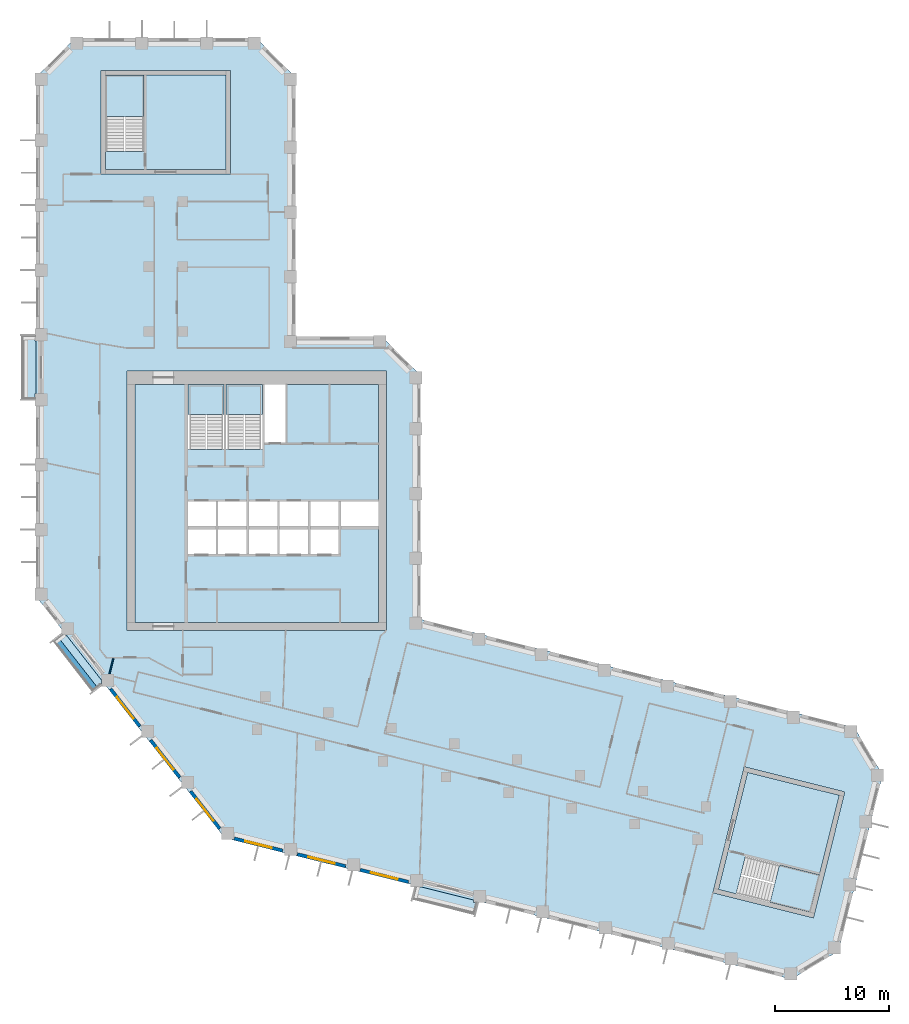
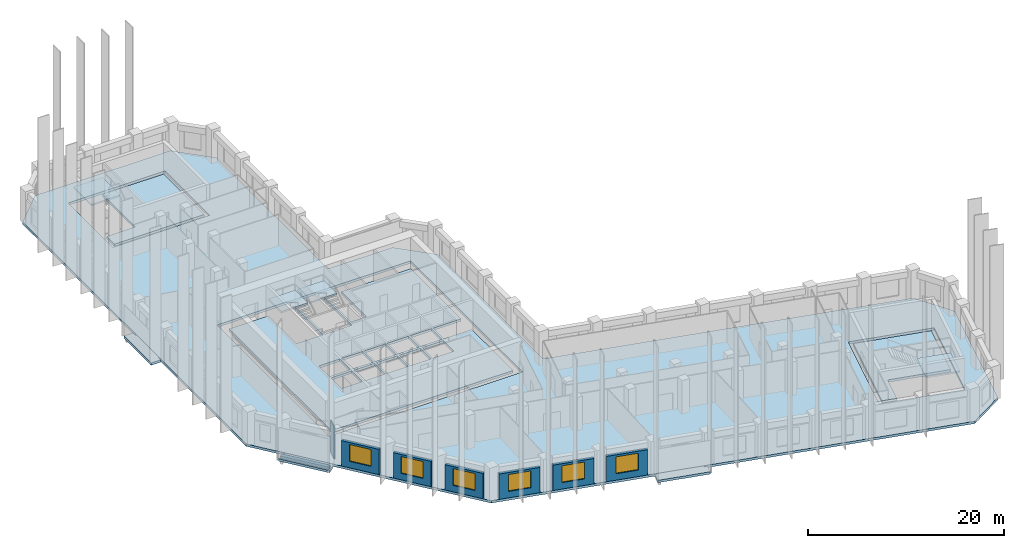
# One storey, part 2 of 10: 11 slabs, 8 walls, 6 windows, 6 openings, 4 elements without a shape of their own.
"""IFC4 building model written with IfcOpenShell, lengths in metres."""

from ifc_helpers import new_model, si_unit, direction, frame, frame_2d, origin, place, context, subcontext, project, spatial, polyline, rectangle, outline, extrude, material, layer, layer_set, type_object, element, fill, aggregate, save


model = new_model("IFC4")

# Units and contexts
model_context = context("Model", 3, precision=1e-05, world=origin(), true_north=direction((0.0, 1.0)))
body_context = subcontext(model_context, "Body", "Model", "MODEL_VIEW")
ifc_project = project(units=[si_unit("LENGTHUNIT", "METRE"), si_unit("AREAUNIT", "SQUARE_METRE"), si_unit("VOLUMEUNIT", "CUBIC_METRE"), si_unit("PLANEANGLEUNIT", "RADIAN"), si_unit("MASSUNIT", "GRAM", prefix="KILO")], contexts=[model_context])

# Site, building, storey
site_placement = place(None, origin())
site = spatial("IfcSite", under=ifc_project, at=site_placement, CompositionType="ELEMENT")
building_placement = place(site_placement, origin())
building = spatial("IfcBuilding", under=site, at=building_placement, Name="Meshkara Civic Tower", CompositionType="ELEMENT")
storey_placement = place(building_placement, frame((0.0, 0.0, 259.199951171875)))
storey = spatial("IfcBuildingStorey", under=building, at=storey_placement, Name="L59", CompositionType="ELEMENT", Elevation=259.199951171875)

# Slabs
ifc_material_1 = material(Name="Concrete C40", Category="concrete")
ifc_layer_1 = layer(ifc_material_1, 0.300048828125)
ifc_layer_set_1 = layer_set([ifc_layer_1], Name="BALCONY SLAB")
slab_type_1 = type_object("IfcSlabType", Name="BALCONY SLAB", PredefinedType="FLOOR", material=ifc_layer_set_1)
slab_1_placement = place(storey_placement, frame((0.0, 0.0, -0.300048828125)))
element("IfcSlab", 1, at=slab_1_placement, inside=storey, type_object=slab_type_1, Name="Balcony slab", PredefinedType="FLOOR", context=body_context, shape_type="SweptSolid", body=[
    extrude(outline(polyline([(-1.199951171875, 34.4150390625), (-1.199951171875, 39.9951171875), (-0.10009765625, 39.9951171875), (-0.10009765625, 39.5048828125), (0.0, 39.5048828125), (0.0, 34.905029296875), (-0.10009765625, 34.905029296875), (-0.10009765625, 34.4150390625), (-1.199951171875, 34.4150390625)])), origin(), (0.0, 0.0, 1.0), 0.300048828125),
])
slab_2_placement = place(storey_placement, frame((0.0, 0.0, -0.300048828125)))
element("IfcSlab", 2, at=slab_2_placement, inside=storey, type_object=slab_type_1, Name="Balcony slab", PredefinedType="FLOOR", context=body_context, shape_type="SweptSolid", body=[
    extrude(outline(polyline([(4.986083984375, 8.76904296875), (1.551025390625, 13.166015625), (2.263916015625, 13.722900390625), (2.263916015625, 13.678955078125), (2.673095703125, 13.678955078125), (5.77294921875, 9.7109375), (5.77294921875, 9.383056640625), (4.986083984375, 8.76904296875)])), origin(), (0.0, 0.0, 1.0), 0.300048828125),
])
slab_3_placement = place(storey_placement, frame((0.0, 0.0, -0.300048828125)))
element("IfcSlab", 3, at=slab_3_placement, inside=storey, type_object=slab_type_1, Name="Balcony slab", PredefinedType="FLOOR", context=body_context, shape_type="SweptSolid", body=[
    extrude(outline(polyline([(38.51708984375, -10.840087890625), (33.10205078125, -9.489990234375), (33.367919921875, -8.425048828125), (33.791015625, -8.425048828125), (38.424072265625, -9.580078125), (38.424072265625, -9.802978515625), (38.77490234375, -9.802978515625), (38.51708984375, -10.840087890625)])), origin(), (0.0, 0.0, 1.0), 0.300048828125),
])
ifc_material_2 = material(Name="Concrete C40/50", Category="concrete")
ifc_layer_2 = layer(ifc_material_2, 0.300048828125)
ifc_layer_set_2 = layer_set([ifc_layer_2], Name="Core floor slab 300 C40/50")
slab_type_2 = type_object("IfcSlabType", Name="Core floor slab 300 C40/50", PredefinedType="FLOOR", material=ifc_layer_set_2)
slab_4_placement = place(storey_placement, frame((0.0, 0.0, -0.300048828125)))
element("IfcSlab", 4, at=slab_4_placement, inside=storey, type_object=slab_type_2, Name="Core floor K", PredefinedType="FLOOR", context=body_context, shape_type="SweptSolid", body=[
    extrude(outline(polyline([(8.699951171875, 35.699951171875), (13.35009765625, 35.699951171875), (13.35009765625, 30.00146484375), (16.5, 30.00146484375), (16.5, 35.699951171875), (16.699951171875, 35.699951171875), (16.699951171875, 30.00146484375), (19.89990234375, 30.00146484375), (19.89990234375, 35.699951171875), (20.10009765625, 35.699951171875), (20.10009765625, 30.574951171875), (21.925048828125, 30.574951171875), (21.925048828125, 35.699951171875), (30.10009765625, 35.699951171875), (30.10009765625, 25.39990234375), (26.800048828125, 25.39990234375), (26.800048828125, 23.25), (30.10009765625, 23.25), (30.10009765625, 14.800048828125), (8.699951171875, 14.800048828125), (8.699951171875, 35.699951171875)]), holes=[polyline([(15.800048828125, 22.949951171875), (13.35009765625, 22.949951171875), (13.35009765625, 20.800048828125), (15.800048828125, 20.800048828125), (15.800048828125, 22.949951171875)]), polyline([(16.0, 22.949951171875), (16.0, 20.800048828125), (18.5, 20.800048828125), (18.5, 22.949951171875), (16.0, 22.949951171875)]), polyline([(18.699951171875, 22.949951171875), (18.699951171875, 20.800048828125), (21.199951171875, 20.800048828125), (21.199951171875, 22.949951171875), (18.699951171875, 22.949951171875)]), polyline([(15.800048828125, 23.25), (15.800048828125, 25.39990234375), (13.35009765625, 25.39990234375), (13.35009765625, 23.25), (15.800048828125, 23.25)]), polyline([(16.0, 25.39990234375), (16.0, 23.25), (18.5, 23.25), (18.5, 25.39990234375), (16.0, 25.39990234375)]), polyline([(23.89990234375, 20.800048828125), (23.89990234375, 22.949951171875), (21.39990234375, 22.949951171875), (21.39990234375, 20.800048828125), (23.89990234375, 20.800048828125)]), polyline([(24.10009765625, 20.800048828125), (26.60009765625, 20.800048828125), (26.60009765625, 22.949951171875), (24.10009765625, 22.949951171875), (24.10009765625, 20.800048828125)]), polyline([(18.699951171875, 25.39990234375), (18.699951171875, 23.25), (21.199951171875, 23.25), (21.199951171875, 25.39990234375), (18.699951171875, 25.39990234375)]), polyline([(21.39990234375, 23.25), (23.89990234375, 23.25), (23.89990234375, 25.39990234375), (21.39990234375, 25.39990234375), (21.39990234375, 23.25)]), polyline([(24.10009765625, 23.25), (26.60009765625, 23.25), (26.60009765625, 25.39990234375), (24.10009765625, 25.39990234375), (24.10009765625, 23.25)])]), origin(), (0.0, 0.0, 1.0), 0.300048828125),
])
slab_5_placement = place(storey_placement, frame((0.0, 0.0, -0.300048828125)))
element("IfcSlab", 5, at=slab_5_placement, inside=storey, type_object=slab_type_2, Name="Core floor EA", PredefinedType="FLOOR", context=body_context, shape_type="SweptSolid", body=[
    extrude(outline(polyline([(16.699951171875, 54.570068359375), (16.699951171875, 62.8701171875), (9.5, 62.8701171875), (9.5, 56.17138671875), (6.10009765625, 56.17138671875), (6.10009765625, 54.570068359375), (16.699951171875, 54.570068359375)])), origin(), (0.0, 0.0, 1.0), 0.300048828125),
])
slab_6_placement = place(storey_placement, frame((0.0, 0.0, -0.300048828125)))
element("IfcSlab", 6, at=slab_6_placement, inside=storey, type_object=slab_type_2, Name="Core floor EB", PredefinedType="FLOOR", context=body_context, shape_type="SweptSolid", body=[
    extrude(outline(polyline([(62.519775390625, 1.623291015625), (70.5732421875, -0.384765625), (68.83154296875, -7.370849609375), (62.33203125, -5.750244140625), (61.50927734375, -9.04931640625), (59.95556640625, -8.661865234375), (62.519775390625, 1.623291015625)])), origin(), (0.0, 0.0, 1.0), 0.300048828125),
])

# Stair, slab
ifc_material_3 = material(Name="Precast concrete C40/50", Category="concrete")
stair_type_1 = type_object("IfcStairType", Name="Exit stair half-turn 24 risers precast", PredefinedType="HALF_TURN_STAIR", material=ifc_material_3)
stair_1_placement = place(storey_placement, origin())
stair_1 = element("IfcStair", 7, at=stair_1_placement, inside=storey, type_object=stair_type_1, Name="L59 exit stair 1", PredefinedType="HALF_TURN_STAIR")
ifc_material_4 = material(Name="Precast concrete C40/50", Category="concrete")
ifc_layer_3 = layer(ifc_material_4, 0.199951171875)
ifc_layer_set_3 = layer_set([ifc_layer_3], Name="Exit stair landing 200")
slab_type_3 = type_object("IfcSlabType", Name="Exit stair landing 200", PredefinedType="LANDING", material=ifc_layer_set_3)
slab_7_placement = place(storey_placement, frame((0.0, 0.0, 1.900146484375)))
slab_7 = element("IfcSlab", 8, at=slab_7_placement, type_object=slab_type_3, Name="ST1 landing 1", PredefinedType="LANDING", context=body_context, shape_type="SweptSolid", body=[
    extrude(outline(polyline([(16.5, 33.07861328125), (16.5, 35.699951171875), (13.35009765625, 35.699951171875), (13.35009765625, 33.07861328125), (16.5, 33.07861328125)])), origin(), (0.0, 0.0, 1.0), 0.199951171875),
])
aggregate(stair_1, [slab_7])

stair_2_placement = place(storey_placement, origin())
stair_2 = element("IfcStair", 9, at=stair_2_placement, inside=storey, type_object=stair_type_1, Name="L59 exit stair 2", PredefinedType="HALF_TURN_STAIR")
slab_8_placement = place(storey_placement, frame((0.0, 0.0, 1.900146484375)))
slab_8 = element("IfcSlab", 10, at=slab_8_placement, type_object=slab_type_3, Name="ST2 landing 1", PredefinedType="LANDING", context=body_context, shape_type="SweptSolid", body=[
    extrude(outline(polyline([(19.89990234375, 33.07861328125), (19.89990234375, 35.699951171875), (16.699951171875, 35.699951171875), (16.699951171875, 33.07861328125), (19.89990234375, 33.07861328125)])), origin(), (0.0, 0.0, 1.0), 0.199951171875),
])
aggregate(stair_2, [slab_8])

ifc_material_5 = material(Name="Precast concrete C40/50", Category="concrete")
stair_type_2 = type_object("IfcStairType", Name="Exit stair half-turn 24 risers 1600 precast", PredefinedType="HALF_TURN_STAIR", material=ifc_material_5)
stair_3_placement = place(storey_placement, origin())
stair_3 = element("IfcStair", 11, at=stair_3_placement, inside=storey, type_object=stair_type_2, Name="L59 exit stair A from L50", PredefinedType="HALF_TURN_STAIR")
slab_9_placement = place(storey_placement, frame((0.0, 0.0, 1.900146484375)))
slab_9 = element("IfcSlab", 12, at=slab_9_placement, type_object=slab_type_3, Name="ESA4 landing 1", PredefinedType="LANDING", context=body_context, shape_type="SweptSolid", body=[
    extrude(outline(polyline([(9.5, 59.24853515625), (9.5, 62.8701171875), (6.10009765625, 62.8701171875), (6.10009765625, 59.24853515625), (9.5, 59.24853515625)])), origin(), (0.0, 0.0, 1.0), 0.199951171875),
])
aggregate(stair_3, [slab_9])

stair_4_placement = place(storey_placement, origin())
stair_4 = element("IfcStair", 13, at=stair_4_placement, inside=storey, type_object=stair_type_2, Name="L59 exit stair B from L50", PredefinedType="HALF_TURN_STAIR")
slab_10_placement = place(storey_placement, frame((0.0, 0.0, 1.900146484375)))
slab_10 = element("IfcSlab", 14, at=slab_10_placement, type_object=slab_type_3, Name="ESB4 landing 1", PredefinedType="LANDING", context=body_context, shape_type="SweptSolid", body=[
    extrude(outline(polyline([(64.49462890625, -9.794677734375), (68.0087890625, -10.67138671875), (68.83203125, -7.371337890625), (65.318115234375, -6.49462890625), (64.49462890625, -9.794677734375)])), origin(), (0.0, 0.0, 1.0), 0.199951171875),
])
aggregate(stair_4, [slab_10])

# Slab
ifc_material_6 = material(Name="Concrete C50", Category="concrete")
ifc_layer_4 = layer(ifc_material_6, 0.300048828125)
ifc_layer_set_4 = layer_set([ifc_layer_4], Name="Post-tensioned flat slab 300 C50")
slab_type_4 = type_object("IfcSlabType", Name="Post-tensioned flat slab 300 C50", PredefinedType="FLOOR", material=ifc_layer_set_4)
slab_11_placement = place(storey_placement, frame((0.0, 0.0, -0.300048828125)))
element("IfcSlab", 15, at=slab_11_placement, inside=storey, type_object=slab_type_4, Name="Post-tensioned flat slab L59", PredefinedType="FLOOR", context=body_context, shape_type="SweptSolid", body=[
    extrude(outline(polyline([(70.513916015625, -14.055908203125), (66.367919921875, -16.547119140625), (16.592041015625, -4.136962890625), (0.0, 17.10009765625), (0.0, 62.699951171875), (3.419921875, 66.1201171875), (19.3798828125, 66.1201171875), (22.800048828125, 62.699951171875), (22.800048828125, 39.89990234375), (30.3798828125, 39.89990234375), (33.800048828125, 36.47998046875), (33.800048828125, 15.071044921875), (71.884033203125, 5.574951171875), (74.375, 1.429931640625), (70.513916015625, -14.055908203125)]), holes=[polyline([(68.300048828125, -11.155029296875), (71.05810546875, -0.093017578125), (62.22802734375, 2.10791015625), (59.470947265625, -8.952880859375), (68.300048828125, -11.155029296875)]), polyline([(8.0, 14.10009765625), (30.800048828125, 14.10009765625), (30.800048828125, 36.89990234375), (8.0, 36.89990234375), (8.0, 14.10009765625)]), polyline([(5.699951171875, 63.27001953125), (5.699951171875, 54.169921875), (17.10009765625, 54.169921875), (17.10009765625, 63.27001953125), (5.699951171875, 63.27001953125)])]), origin(), (0.0, 0.0, 1.0), 0.300048828125),
])

# Wall, opening, window
ifc_material_7 = material(Name="Insulated infill panel with bronze anodised aluminium cladding", Category="aluminium")
ifc_layer_5 = layer(ifc_material_7, 0.300048828125)
ifc_layer_set_5 = layer_set([ifc_layer_5], Name="EXTERNAL INFILL WALL 300")
wall_type_1 = type_object("IfcWallType", Name="EXTERNAL INFILL WALL 300", PredefinedType="SOLIDWALL", material=ifc_layer_set_5)
wall_1_placement = place(storey_placement, frame((6.56201171875, 8.944091796875, 0.0), z_axis=(0.0, 0.0, 1.0), x_axis=(0.615699893917, -0.787980736205, 0.0)))
wall_1 = element("IfcWall", 16, at=wall_1_placement, inside=storey, type_object=wall_type_1, Name="External wall", PredefinedType="SOLIDWALL", context=body_context, shape_type="SweptSolid", body=[
    extrude(rectangle(XDim=4.156494140625, YDim=0.300048828125, at=frame_2d((2.078125, 0.0))), origin(), (0.0, 0.0, 1.0), 3.150146484375),
])
opening_1_placement = place(wall_1_placement, frame((0.8779296875, 0.0, 0.800048828125)))
opening_1 = element("IfcOpeningElement", 17, at=opening_1_placement, cuts=wall_1, Name="Opening W7", PredefinedType="OPENING", context=body_context, shape_type="SweptSolid", body=[
    extrude(rectangle(XDim=2.39990234375, YDim=2.10009765625, at=frame_2d((1.199951171875, 1.050048828125))), frame((0.0, 0.159912109375, 0.0), z_axis=(0.0, -1.0, 0.0), x_axis=(1.0, 0.0, 0.0)), (0.0, 0.0, 1.0), 0.320068359375),
])
ifc_material_8 = material(Name="Tinted double glazing", Category="glass")
window_type = type_object("IfcWindowType", Name="WINDOW 2400x2100", PartitioningType="DOUBLE_PANEL_VERTICAL", PredefinedType="WINDOW", material=ifc_material_8)
window_1_placement = place(opening_1_placement, origin())
window_1 = element("IfcWindow", 18, at=window_1_placement, inside=storey, type_object=window_type, Name="Window", OverallHeight=2.10009765625, OverallWidth=2.39990234375, PartitioningType="DOUBLE_PANEL_VERTICAL", PredefinedType="WINDOW", context=body_context, shape_type="SweptSolid", body=[
    extrude(rectangle(XDim=2.39990234375, YDim=2.10009765625, at=frame_2d((1.199951171875, 1.050048828125))), frame((0.0, 0.030029296875, 0.0), z_axis=(0.0, -1.0, 0.0), x_axis=(1.0, 0.0, 0.0)), (0.0, 0.0, 1.0), 0.06005859375),
])
fill(opening_1, window_1)

wall_2_placement = place(storey_placement, frame((10.072021484375, 4.451904296875, 0.0), z_axis=(0.0, 0.0, 1.0), x_axis=(0.615660006568, -0.788011901124, 0.0)))
wall_2 = element("IfcWall", 19, at=wall_2_placement, inside=storey, type_object=wall_type_1, Name="External wall", PredefinedType="SOLIDWALL", context=body_context, shape_type="SweptSolid", body=[
    extrude(rectangle(XDim=4.15478515625, YDim=0.300048828125, at=frame_2d((2.077392578125, 0.0))), origin(), (0.0, 0.0, 1.0), 3.150146484375),
])
opening_2_placement = place(wall_2_placement, frame((0.8779296875, 0.0, 0.800048828125)))
opening_2 = element("IfcOpeningElement", 20, at=opening_2_placement, cuts=wall_2, Name="Opening W7", PredefinedType="OPENING", context=body_context, shape_type="SweptSolid", body=[
    extrude(rectangle(XDim=2.39990234375, YDim=2.10009765625, at=frame_2d((1.199951171875, 1.050048828125))), frame((0.0, 0.159912109375, 0.0), z_axis=(0.0, -1.0, 0.0), x_axis=(1.0, 0.0, 0.0)), (0.0, 0.0, 1.0), 0.320068359375),
])
window_2_placement = place(opening_2_placement, origin())
window_2 = element("IfcWindow", 21, at=window_2_placement, inside=storey, type_object=window_type, Name="Window", OverallHeight=2.10009765625, OverallWidth=2.39990234375, PartitioningType="DOUBLE_PANEL_VERTICAL", PredefinedType="WINDOW", context=body_context, shape_type="SweptSolid", body=[
    extrude(rectangle(XDim=2.39990234375, YDim=2.10009765625, at=frame_2d((1.199951171875, 1.050048828125))), frame((0.0, 0.030029296875, 0.0), z_axis=(0.0, -1.0, 0.0), x_axis=(1.0, 0.0, 0.0)), (0.0, 0.0, 1.0), 0.06005859375),
])
fill(opening_2, window_2)

wall_3_placement = place(storey_placement, frame((13.5810546875, -0.0390625, 0.0), z_axis=(0.0, 0.0, 1.0), x_axis=(0.615545986363, -0.788100969846, 0.0)))
wall_3 = element("IfcWall", 22, at=wall_3_placement, inside=storey, type_object=wall_type_1, Name="External wall", PredefinedType="SOLIDWALL", context=body_context, shape_type="SweptSolid", body=[
    extrude(rectangle(XDim=4.155517578125, YDim=0.300048828125, at=frame_2d((2.07763671875, 0.0))), origin(), (0.0, 0.0, 1.0), 3.150146484375),
])
opening_3_placement = place(wall_3_placement, frame((0.8779296875, 0.0, 0.800048828125)))
opening_3 = element("IfcOpeningElement", 23, at=opening_3_placement, cuts=wall_3, Name="Opening W7", PredefinedType="OPENING", context=body_context, shape_type="SweptSolid", body=[
    extrude(rectangle(XDim=2.39990234375, YDim=2.10009765625, at=frame_2d((1.199951171875, 1.050048828125))), frame((0.0, 0.159912109375, 0.0), z_axis=(0.0, -1.0, 0.0), x_axis=(1.0, 0.0, 0.0)), (0.0, 0.0, 1.0), 0.320068359375),
])
window_3_placement = place(opening_3_placement, origin())
window_3 = element("IfcWindow", 24, at=window_3_placement, inside=storey, type_object=window_type, Name="Window", OverallHeight=2.10009765625, OverallWidth=2.39990234375, PartitioningType="DOUBLE_PANEL_VERTICAL", PredefinedType="WINDOW", context=body_context, shape_type="SweptSolid", body=[
    extrude(rectangle(XDim=2.39990234375, YDim=2.10009765625, at=frame_2d((1.199951171875, 1.050048828125))), frame((0.0, 0.030029296875, 0.0), z_axis=(0.0, -1.0, 0.0), x_axis=(1.0, 0.0, 0.0)), (0.0, 0.0, 1.0), 0.06005859375),
])
fill(opening_3, window_3)

wall_4_placement = place(storey_placement, frame((17.425048828125, -4.18994140625, 0.0), z_axis=(0.0, 0.0, 1.0), x_axis=(0.970270592847, -0.242022677978, 0.0)))
wall_4 = element("IfcWall", 25, at=wall_4_placement, inside=storey, type_object=wall_type_1, Name="External wall", PredefinedType="SOLIDWALL", context=body_context, shape_type="SweptSolid", body=[
    extrude(rectangle(XDim=4.367919921875, YDim=0.300048828125, at=frame_2d((2.18408203125, 0.0))), origin(), (0.0, 0.0, 1.0), 3.150146484375),
])
opening_4_placement = place(wall_4_placement, frame((0.98291015625, 0.0, 0.800048828125)))
opening_4 = element("IfcOpeningElement", 26, at=opening_4_placement, cuts=wall_4, Name="Opening W7", PredefinedType="OPENING", context=body_context, shape_type="SweptSolid", body=[
    extrude(rectangle(XDim=2.39990234375, YDim=2.10009765625, at=frame_2d((1.199951171875, 1.050048828125))), frame((0.0, 0.159912109375, 0.0), z_axis=(0.0, -1.0, 0.0), x_axis=(1.0, 0.0, 0.0)), (0.0, 0.0, 1.0), 0.320068359375),
])
window_4_placement = place(opening_4_placement, origin())
window_4 = element("IfcWindow", 27, at=window_4_placement, inside=storey, type_object=window_type, Name="Window", OverallHeight=2.10009765625, OverallWidth=2.39990234375, PartitioningType="DOUBLE_PANEL_VERTICAL", PredefinedType="WINDOW", context=body_context, shape_type="SweptSolid", body=[
    extrude(rectangle(XDim=2.39990234375, YDim=2.10009765625, at=frame_2d((1.199951171875, 1.050048828125))), frame((0.0, 0.030029296875, 0.0), z_axis=(0.0, -1.0, 0.0), x_axis=(1.0, 0.0, 0.0)), (0.0, 0.0, 1.0), 0.06005859375),
])
fill(opening_4, window_4)

wall_5_placement = place(storey_placement, frame((22.9560546875, -5.569091796875, 0.0), z_axis=(0.0, 0.0, 1.0), x_axis=(0.970323116569, -0.241812012628, 0.0)))
wall_5 = element("IfcWall", 28, at=wall_5_placement, inside=storey, type_object=wall_type_1, Name="External wall", PredefinedType="SOLIDWALL", context=body_context, shape_type="SweptSolid", body=[
    extrude(rectangle(XDim=4.36669921875, YDim=0.300048828125, at=frame_2d((2.183349609375, 0.0))), origin(), (0.0, 0.0, 1.0), 3.150146484375),
])
opening_5_placement = place(wall_5_placement, frame((0.98291015625, 0.0, 0.800048828125)))
opening_5 = element("IfcOpeningElement", 29, at=opening_5_placement, cuts=wall_5, Name="Opening W7", PredefinedType="OPENING", context=body_context, shape_type="SweptSolid", body=[
    extrude(rectangle(XDim=2.39990234375, YDim=2.10009765625, at=frame_2d((1.199951171875, 1.050048828125))), frame((0.0, 0.159912109375, 0.0), z_axis=(0.0, -1.0, 0.0), x_axis=(1.0, 0.0, 0.0)), (0.0, 0.0, 1.0), 0.320068359375),
])
window_5_placement = place(opening_5_placement, origin())
window_5 = element("IfcWindow", 30, at=window_5_placement, inside=storey, type_object=window_type, Name="Window", OverallHeight=2.10009765625, OverallWidth=2.39990234375, PartitioningType="DOUBLE_PANEL_VERTICAL", PredefinedType="WINDOW", context=body_context, shape_type="SweptSolid", body=[
    extrude(rectangle(XDim=2.39990234375, YDim=2.10009765625, at=frame_2d((1.199951171875, 1.050048828125))), frame((0.0, 0.030029296875, 0.0), z_axis=(0.0, -1.0, 0.0), x_axis=(1.0, 0.0, 0.0)), (0.0, 0.0, 1.0), 0.06005859375),
])
fill(opening_5, window_5)

wall_6_placement = place(storey_placement, frame((28.486083984375, -6.947998046875, 0.0), z_axis=(0.0, 0.0, 1.0), x_axis=(0.970336189295, -0.241759549438, 0.0)))
wall_6 = element("IfcWall", 31, at=wall_6_placement, inside=storey, type_object=wall_type_1, Name="External wall", PredefinedType="SOLIDWALL", context=body_context, shape_type="SweptSolid", body=[
    extrude(rectangle(XDim=4.36767578125, YDim=0.300048828125, at=frame_2d((2.183837890625, 0.0))), origin(), (0.0, 0.0, 1.0), 3.150146484375),
])
opening_6_placement = place(wall_6_placement, frame((0.98291015625, 0.0, 0.800048828125)))
opening_6 = element("IfcOpeningElement", 32, at=opening_6_placement, cuts=wall_6, Name="Opening W7", PredefinedType="OPENING", context=body_context, shape_type="SweptSolid", body=[
    extrude(rectangle(XDim=2.39990234375, YDim=2.10009765625, at=frame_2d((1.199951171875, 1.050048828125))), frame((0.0, 0.159912109375, 0.0), z_axis=(0.0, -1.0, 0.0), x_axis=(1.0, 0.0, 0.0)), (0.0, 0.0, 1.0), 0.320068359375),
])
window_6_placement = place(opening_6_placement, origin())
window_6 = element("IfcWindow", 33, at=window_6_placement, inside=storey, type_object=window_type, Name="Window", OverallHeight=2.10009765625, OverallWidth=2.39990234375, PartitioningType="DOUBLE_PANEL_VERTICAL", PredefinedType="WINDOW", context=body_context, shape_type="SweptSolid", body=[
    extrude(rectangle(XDim=2.39990234375, YDim=2.10009765625, at=frame_2d((1.199951171875, 1.050048828125))), frame((0.0, 0.030029296875, 0.0), z_axis=(0.0, -1.0, 0.0), x_axis=(1.0, 0.0, 0.0)), (0.0, 0.0, 1.0), 0.06005859375),
])
fill(opening_6, window_6)

# Walls
ifc_material_9 = material(Name="Concrete C40", Category="concrete")
ifc_layer_6 = layer(ifc_material_9, 0.39990234375)
ifc_layer_set_6 = layer_set([ifc_layer_6], Name="PLANTER TRAY")
wall_type_2 = type_object("IfcWallType", Name="PLANTER TRAY", PredefinedType="SOLIDWALL", material=ifc_layer_set_6)
wall_7_placement = place(storey_placement, frame((1.87109375, 13.27587890625, 0.0), z_axis=(0.0, 0.0, 1.0), x_axis=(0.615632551218, -0.788033350741, 0.0)))
element("IfcWall", 34, at=wall_7_placement, inside=storey, type_object=wall_type_2, Name="Planter", PredefinedType="SOLIDWALL", context=body_context, shape_type="SweptSolid", body=[
    extrude(rectangle(XDim=5.360107421875, YDim=0.39990234375, at=frame_2d((2.68017578125, 0.0))), origin(), (0.0, 0.0, 1.0), 0.300048828125),
])
ifc_material_10 = material(Name="Partition 100")
ifc_layer_7 = layer(ifc_material_10, 0.10009765625)
ifc_layer_set_7 = layer_set([ifc_layer_7], Name="Partition 100")
wall_type_3 = type_object("IfcWallType", Name="Partition 100", PredefinedType="PARTITIONING", material=ifc_layer_set_7)
wall_8_placement = place(storey_placement, frame((6.797119140625, 11.637939453125, 0.0), z_axis=(0.0, 0.0, 1.0), x_axis=(-0.242164268782, -0.970235263699, 0.0)))
element("IfcWall", 35, at=wall_8_placement, inside=storey, type_object=wall_type_3, Name="L59-W048", PredefinedType="PARTITIONING", context=body_context, shape_type="SweptSolid", body=[
    extrude(rectangle(XDim=1.392333984375, YDim=0.10009765625, at=frame_2d((0.6962890625, 0.0))), origin(), (0.0, 0.0, 1.0), 3.900146484375),
])

save(model, "model.ifc")
